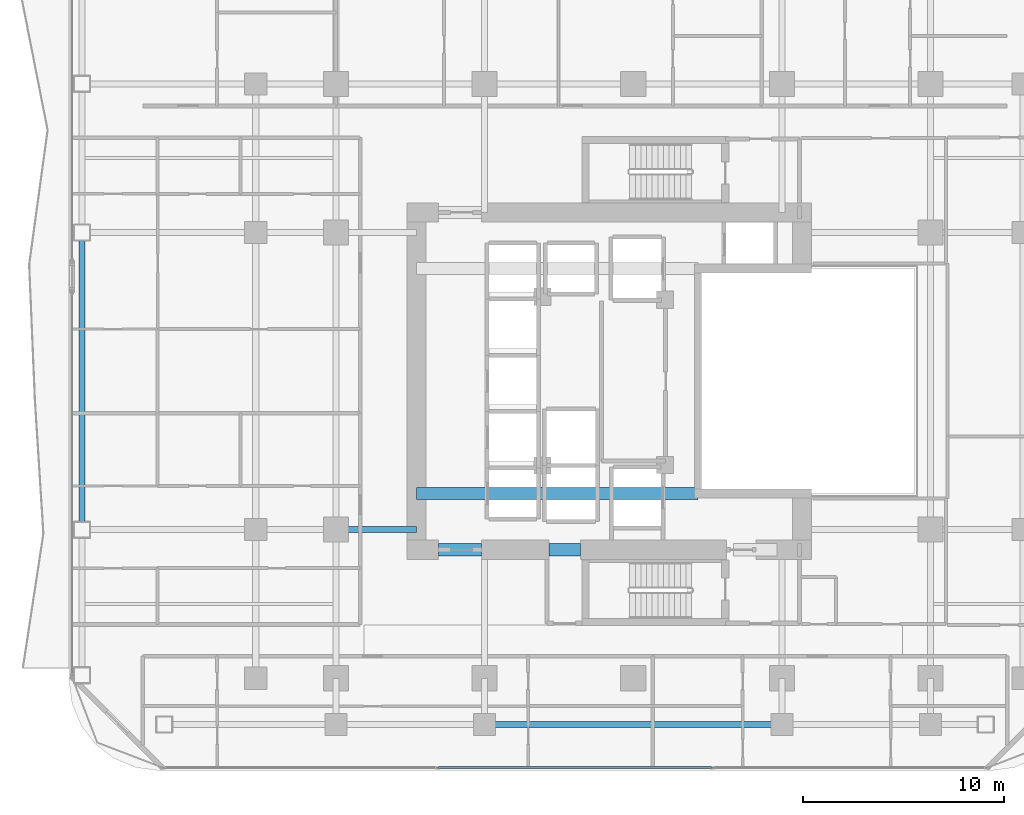
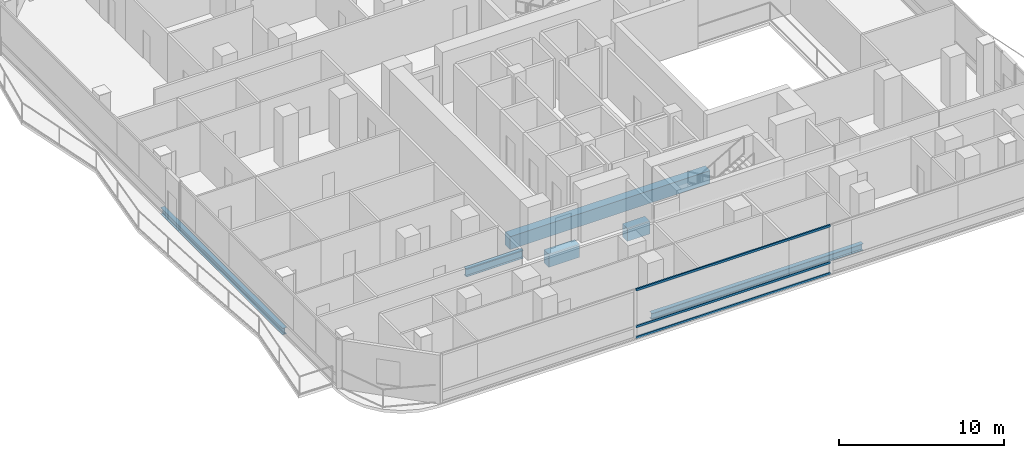
# One storey, part 5 of 28: 6 beams, 3 members, 1 element without a shape of its own.
"""IFC4 building model written with IfcOpenShell, lengths in metres."""

import ifcopenshell
import ifcopenshell.guid

model = None  # the IFC model being written
_history = None  # IfcOwnerHistory: only IFC2X3 demands one
_inside = {}  # id of a spatial element -> (the spatial element, [elements in it])
_under = {}  # id of a project, library or spatial element -> (it, [spatial elements below it])
_declared = {}  # id of a project -> (the project, [libraries it declares])
_typed = {}  # id of a type object -> (the type object, [elements of that type])
_made_of = {}  # id of a material, layer set ... -> (it, [elements and type objects made of it])


def new_model(schema):
    """Start an empty IFC model of exactly this schema.

    Asked for "IFC4X3", IfcOpenShell would pick the latest addendum, in which some entities
    have other attributes; the version numbers below select the first issue.
    IFC2X3 requires an IfcOwnerHistory on every rooted entity: one is made here for all.
    """
    global model, _history
    if schema == "IFC4X3":
        model = ifcopenshell.file(schema_version=(4, 3, 0, 0))
    else:
        model = ifcopenshell.file(schema=schema)
    _inside.clear()
    _under.clear()
    _declared.clear()
    _typed.clear()
    _made_of.clear()
    _history = None
    if model.schema == "IFC2X3":
        org = make("IfcOrganization", Name="unknown")
        user = make(
            "IfcPersonAndOrganization",
            ThePerson=make("IfcPerson", FamilyName="unknown"),
            TheOrganization=org,
        )
        app = make(
            "IfcApplication",
            ApplicationDeveloper=org,
            Version="unknown",
            ApplicationFullName="unknown",
            ApplicationIdentifier="unknown",
        )
        _history = make(
            "IfcOwnerHistory",
            OwningUser=user,
            OwningApplication=app,
            ChangeAction="ADDED",
            CreationDate=0,
        )
    return model


def make(cls, **values):
    """One entity of the class cls with the attributes given. An attribute that is None is left unset."""
    return model.create_entity(
        cls, **{name: value for name, value in values.items() if value is not None}
    )


def rooted(cls, **values):
    """An entity with a GlobalId (a new one), such as an element, a storey or a relation."""
    return make(cls, GlobalId=ifcopenshell.guid.new(), OwnerHistory=_history, **values)


def si_unit(unit_type, name, prefix=None):
    """IfcSIUnit, for example si_unit("LENGTHUNIT", "METRE", prefix="MILLI")."""
    return make("IfcSIUnit", UnitType=unit_type, Prefix=prefix, Name=name)


def assignment(units):
    """IfcUnitAssignment: the units of a project."""
    return None if units is None else make("IfcUnitAssignment", Units=units)


def point(xyz):
    """IfcCartesianPoint."""
    return None if xyz is None else make("IfcCartesianPoint", Coordinates=xyz)


def direction(xyz):
    """IfcDirection."""
    return None if xyz is None else make("IfcDirection", DirectionRatios=xyz)


def frame(location, z_axis=None, x_axis=None):
    """IfcAxis2Placement3D, a coordinate frame: its origin and axes. An axis left out is left unset."""
    return make(
        "IfcAxis2Placement3D",
        Location=point(location),
        Axis=direction(z_axis),
        RefDirection=direction(x_axis),
    )


def frame_2d(location, x_axis=None):
    """IfcAxis2Placement2D, a coordinate frame in the plane: its origin and x axis."""
    return make(
        "IfcAxis2Placement2D", Location=point(location), RefDirection=direction(x_axis)
    )


def origin():
    """The frame at (0, 0, 0) with its axes left unset."""
    return frame((0.0, 0.0, 0.0))


def origin_2d():
    """The frame at (0, 0) in the plane with its x axis left unset."""
    return frame_2d((0.0, 0.0))


def place(relative_to, where):
    """IfcLocalPlacement: puts the frame where relative to a parent placement (None: the world)."""
    return make(
        "IfcLocalPlacement", PlacementRelTo=relative_to, RelativePlacement=where
    )


def context(
    kind, dimensions, precision=None, world=None, true_north=None, identifier=None
):
    """IfcGeometricRepresentationContext, for example the 3D "Model" context."""
    return make(
        "IfcGeometricRepresentationContext",
        ContextIdentifier=identifier,
        ContextType=kind,
        CoordinateSpaceDimension=dimensions,
        Precision=precision,
        WorldCoordinateSystem=world,
        TrueNorth=true_north,
    )


def subcontext(parent, identifier, kind, view, scale=None):
    """IfcGeometricRepresentationSubContext, for example "Body" below "Model"."""
    return make(
        "IfcGeometricRepresentationSubContext",
        ContextIdentifier=identifier,
        ContextType=kind,
        ParentContext=parent,
        TargetScale=scale,
        TargetView=view,
    )


def project(units=None, contexts=None):
    """IfcProject with its units and contexts."""
    return rooted(
        "IfcProject",
        Name="project",
        RepresentationContexts=contexts,
        UnitsInContext=assignment(units),
    )


def spatial(cls, under=None, at=None, **own):
    """A site, building, storey or space (cls), placed at a placement, below another one or the project."""
    s = rooted(cls, ObjectPlacement=at, **own)
    if under is not None:
        _under.setdefault(under.id(), (under, []))[1].append(s)
    return s


def profile(cls, at=None, kind="AREA", **sizes):
    """A parametric profile (cls). Its sizes go by their IFC names, for example OverallWidth=200.0."""
    return make(cls, ProfileType=kind, Position=at, **sizes)


def rectangle(**sizes):
    """IfcRectangleProfileDef."""
    return profile("IfcRectangleProfileDef", **sizes)


def hollow_rectangle(**sizes):
    """IfcRectangleHollowProfileDef."""
    return profile("IfcRectangleHollowProfileDef", **sizes)


def i_section(**sizes):
    """IfcIShapeProfileDef."""
    return profile("IfcIShapeProfileDef", **sizes)


def extrude(swept, where, along, depth):
    """IfcExtrudedAreaSolid: the profile swept, set in the frame where, extruded along a direction by depth."""
    return make(
        "IfcExtrudedAreaSolid",
        SweptArea=swept,
        Position=where,
        ExtrudedDirection=direction(along),
        Depth=depth,
    )


def shape(context_of_items, identifier, shape_type, items):
    """IfcShapeRepresentation: the items that make up one representation, for example the "Body"."""
    return make(
        "IfcShapeRepresentation",
        ContextOfItems=context_of_items,
        RepresentationIdentifier=identifier,
        RepresentationType=shape_type,
        Items=items,
    )


def material(Name=None, Category=None):
    """IfcMaterial."""
    return make("IfcMaterial", Name=Name, Category=Category)


def layer(
    of_material, thickness, ventilated=None, Name=None, Category=None, Priority=None
):
    """IfcMaterialLayer: one layer of a wall or slab, of a material (None: an air gap)."""
    return make(
        "IfcMaterialLayer",
        Material=of_material,
        LayerThickness=thickness,
        IsVentilated=ventilated,
        Name=Name,
        Category=Category,
        Priority=Priority,
    )


def layer_set(layers, Name=None):
    """IfcMaterialLayerSet."""
    return make("IfcMaterialLayerSet", MaterialLayers=layers, LayerSetName=Name)


def material_profile(
    of_material, cross_section, Name=None, Category=None, Priority=None
):
    """IfcMaterialProfile: a cross section and its material."""
    return make(
        "IfcMaterialProfile",
        Name=Name,
        Material=of_material,
        Profile=cross_section,
        Priority=Priority,
        Category=Category,
    )


def profile_set(profiles, Name=None, composite=None):
    """IfcMaterialProfileSet."""
    return make(
        "IfcMaterialProfileSet",
        Name=Name,
        MaterialProfiles=profiles,
        CompositeProfile=composite,
    )


def made_of(thing, what):
    """Note that an element or type object is made of a material, layer set ...; save() writes the relation."""
    if what is not None:
        _made_of.setdefault(what.id(), (what, []))[1].append(thing)
    return thing


def type_object(cls, material=None, **own):
    """A type object (cls), such as IfcWallType, which elements share."""
    return made_of(rooted(cls, **own), material)


def element(
    cls,
    number,
    at=None,
    inside=None,
    cuts=None,
    type_object=None,
    material=None,
    context=None,
    identifier="Body",
    shape_type=None,
    held_by="IfcProductDefinitionShape",
    body=None,
    shapes=None,
    **own,
):
    """One element of the class cls, such as IfcWall. Its Tag is "e" and its number.

    at: its placement. inside: the storey or other place that contains it. cuts: it is an
    opening in that element (IfcRelVoidsElement). A single representation is given by context,
    identifier, shape_type and body (its items); several are given by shapes. held_by: the class
    of the entity that holds the representations. save() writes the other relations.
    """
    e = rooted(cls, Tag="e%d" % number, ObjectPlacement=at, **own)
    if body is not None:
        shapes = [shape(context, identifier, shape_type, body)]
    if shapes is not None:
        e.Representation = make(held_by, Representations=shapes)
    if inside is not None:
        _inside.setdefault(inside.id(), (inside, []))[1].append(e)
    if cuts is not None:
        rooted(
            "IfcRelVoidsElement", RelatingBuildingElement=cuts, RelatedOpeningElement=e
        )
    if type_object is not None:
        _typed.setdefault(type_object.id(), (type_object, []))[1].append(e)
    return made_of(e, material)


def aggregate(whole, parts):
    """IfcRelAggregates: a whole, such as a stair, and the parts it consists of."""
    return rooted("IfcRelAggregates", RelatingObject=whole, RelatedObjects=parts)


def save(model, path):
    """Write the relations noted so far, then the file.

    IfcRelAggregates (storeys below a building ...), IfcRelContainedInSpatialStructure (elements
    in a storey), IfcRelDefinesByType, IfcRelAssociatesMaterial and IfcRelDeclares: one each for
    every whole, place, type object, material and project.
    """
    for whole, parts in _under.values():
        aggregate(whole, parts)
    for where, things in _inside.values():
        rooted(
            "IfcRelContainedInSpatialStructure",
            RelatedElements=things,
            RelatingStructure=where,
        )
    for kind, things in _typed.values():
        rooted("IfcRelDefinesByType", RelatedObjects=things, RelatingType=kind)
    for what, things in _made_of.values():
        rooted("IfcRelAssociatesMaterial", RelatedObjects=things, RelatingMaterial=what)
    for by, libraries in _declared.values():
        rooted("IfcRelDeclares", RelatingContext=by, RelatedDefinitions=libraries)
    model.write(path)


model = new_model("IFC4")

# Units and contexts
model_context = context("Model", 3, precision=1e-05, world=origin(), true_north=direction((0.0, 1.0)))
body_context = subcontext(model_context, "Body", "Model", "MODEL_VIEW")
ifc_project = project(units=[si_unit("LENGTHUNIT", "METRE"), si_unit("AREAUNIT", "SQUARE_METRE"), si_unit("VOLUMEUNIT", "CUBIC_METRE"), si_unit("PLANEANGLEUNIT", "RADIAN"), si_unit("MASSUNIT", "GRAM", prefix="KILO")], contexts=[model_context])

# Site, building, storey
site_placement = place(None, origin())
site = spatial("IfcSite", under=ifc_project, at=site_placement, CompositionType="ELEMENT")
building_placement = place(site_placement, origin())
building = spatial("IfcBuilding", under=site, at=building_placement, Name="Khorvyn Point Tower", CompositionType="ELEMENT")
storey_placement = place(building_placement, frame((0.0, 0.0, 104.699951171875)))
storey = spatial("IfcBuildingStorey", under=building, at=storey_placement, Name="L26", CompositionType="ELEMENT", Elevation=104.699951171875)

# Curtain wall, members
ifc_material_1 = material(Name="Anodised aluminium 6063-T6 and laminated Low-E glass", Category="aluminium")
ifc_layer = layer(ifc_material_1, 0.18994140625)
ifc_layer_set = layer_set([ifc_layer], Name="Stick-Built Finned Residential Curtain Wall CW-SYS-02")
curtain_wall_type = type_object("IfcCurtainWallType", Name="Stick-Built Finned Residential Curtain Wall CW-SYS-02", PredefinedType="NOTDEFINED", material=ifc_layer_set)
curtain_wall_placement = place(storey_placement, origin())
curtain_wall = element("IfcCurtainWall", 1, at=curtain_wall_placement, inside=storey, type_object=curtain_wall_type, Name="Curtain Wall", PredefinedType="NOTDEFINED")
ifc_material_2 = material(Name="Anodised aluminium 6063-T6", Category="aluminium")
ifc_material_profile_1 = material_profile(ifc_material_2, hollow_rectangle(XDim=0.10009765625, YDim=0.159912109375, WallThickness=0.00439453125, at=origin_2d()))
ifc_profile_set_1 = profile_set([ifc_material_profile_1], Name="Anodised aluminium 6063-T6 ALU-TRN-100x160")
member_type = type_object("IfcMemberType", Name="Anodised Aluminium 6063-T6 Transom ALU-TRN-100x160", PredefinedType="USERDEFINED", material=ifc_profile_set_1)
member_1_placement = place(storey_placement, frame((3.89990234375, -19.25, 0.050048828125), z_axis=(-1.0, 0.0, 0.0), x_axis=(0.0, -1.0, 0.0)))
member_1 = element("IfcMember", 2, at=member_1_placement, type_object=member_type, Name="Transom", ObjectType="TRANSOM", PredefinedType="USERDEFINED", context=body_context, shape_type="SweptSolid", body=[
    extrude(hollow_rectangle(XDim=0.10009765625, YDim=0.159912109375, WallThickness=0.00439453125, at=origin_2d()), origin(), (0.0, 0.0, 1.0), 13.599853515625),
])
member_2_placement = place(storey_placement, frame((3.89990234375, -19.25, 0.85009765625), z_axis=(-1.0, 0.0, 0.0), x_axis=(0.0, -1.0, 0.0)))
member_2 = element("IfcMember", 3, at=member_2_placement, type_object=member_type, Name="Transom", ObjectType="TRANSOM", PredefinedType="USERDEFINED", context=body_context, shape_type="SweptSolid", body=[
    extrude(hollow_rectangle(XDim=0.10009765625, YDim=0.159912109375, WallThickness=0.00439453125, at=origin_2d()), origin(), (0.0, 0.0, 1.0), 13.599853515625),
])
member_3_placement = place(storey_placement, frame((3.89990234375, -19.25, 3.570068359375), z_axis=(-1.0, 0.0, 0.0), x_axis=(0.0, -1.0, 0.0)))
member_3 = element("IfcMember", 4, at=member_3_placement, type_object=member_type, Name="Transom", ObjectType="TRANSOM", PredefinedType="USERDEFINED", context=body_context, shape_type="SweptSolid", body=[
    extrude(hollow_rectangle(XDim=0.10009765625, YDim=0.159912109375, WallThickness=0.00439453125, at=origin_2d()), origin(), (0.0, 0.0, 1.0), 13.599853515625),
])
aggregate(curtain_wall, [member_1, member_2, member_3])

# Beams
ifc_material_3 = material(Name="Concrete C50/60", Category="concrete")
ifc_material_profile_2 = material_profile(ifc_material_3, rectangle(XDim=0.60009765625, YDim=0.949951171875, at=origin_2d()))
ifc_profile_set_2 = profile_set([ifc_material_profile_2], Name="Concrete C50/60 RC600x950")
beam_type_1 = type_object("IfcBeamType", Name="Concrete C50/60 Beam RC600x950", PredefinedType="BEAM", material=ifc_profile_set_2)
beam_1_placement = place(storey_placement, frame((-10.800048828125, -5.60009765625, -0.695068359375), z_axis=(1.0, 0.0, 0.0), x_axis=(0.0, 1.0, 0.0)))
element("IfcBeam", 5, at=beam_1_placement, inside=storey, type_object=beam_type_1, Name="L26 Core Internal Tie Girder S", PredefinedType="BEAM", context=body_context, shape_type="SweptSolid", body=[
    extrude(rectangle(XDim=0.60009765625, YDim=0.949951171875, at=origin_2d()), origin(), (0.0, 0.0, 1.0), 14.02001953125),
])
beam_2_placement = place(storey_placement, frame((-9.699951171875, -8.39990234375, -0.695068359375), z_axis=(1.0, 0.0, 0.0), x_axis=(0.0, 1.0, 0.0)))
element("IfcBeam", 6, at=beam_2_placement, inside=storey, type_object=beam_type_1, Name="L26 Core Southwest Portal Coupling Beam", PredefinedType="BEAM", context=body_context, shape_type="SweptSolid", body=[
    extrude(rectangle(XDim=0.60009765625, YDim=0.949951171875, at=origin_2d()), origin(), (0.0, 0.0, 1.0), 2.14990234375),
])
beam_3_placement = place(storey_placement, frame((-4.199951171875, -8.39990234375, -0.695068359375), z_axis=(1.0, 0.0, 0.0), x_axis=(0.0, 1.0, 0.0)))
element("IfcBeam", 7, at=beam_3_placement, inside=storey, type_object=beam_type_1, Name="L26 Core Shuttle Portal Coupling Beam", PredefinedType="BEAM", context=body_context, shape_type="SweptSolid", body=[
    extrude(rectangle(XDim=0.60009765625, YDim=0.949951171875, at=origin_2d()), origin(), (0.0, 0.0, 1.0), 1.579833984375),
])
ifc_material_4 = material(Name="Steel S355", Category="steel")
ifc_material_profile_3 = material_profile(ifc_material_4, i_section(OverallWidth=0.300048828125, OverallDepth=0.587890625, WebThickness=0.011962890625, FlangeThickness=0.02001953125, at=origin_2d()))
ifc_profile_set_3 = profile_set([ifc_material_profile_3], Name="Steel S355 H588x300x12x20")
beam_type_2 = type_object("IfcBeamType", Name="Steel S355 Beam H588x300x12x20", PredefinedType="BEAM", material=ifc_profile_set_3)
beam_4_placement = place(storey_placement, frame((-14.800048828125, -7.39990234375, -0.513916015625), z_axis=(1.0, 0.0, 0.0), x_axis=(0.0, 1.0, 0.0)))
element("IfcBeam", 8, at=beam_4_placement, inside=storey, type_object=beam_type_2, Name="Beam", PredefinedType="BEAM", context=body_context, shape_type="SweptSolid", body=[
    extrude(i_section(OverallWidth=0.300048828125, OverallDepth=0.587890625, WebThickness=0.011962890625, FlangeThickness=0.02001953125, at=origin_2d()), origin(), (0.0, 0.0, 1.0), 4.0),
])
ifc_material_profile_4 = material_profile(ifc_material_4, i_section(OverallWidth=0.300048828125, OverallDepth=0.488037109375, WebThickness=0.010986328125, FlangeThickness=0.01806640625, at=origin_2d()))
ifc_profile_set_4 = profile_set([ifc_material_profile_4], Name="Steel S355 H488x300x11x18")
beam_type_3 = type_object("IfcBeamType", Name="Steel S355 Spandrel H488x300x11x18", PredefinedType="SPANDREL", material=ifc_profile_set_4)
for number, where, z_axis, x_axis, name in (
    (9, (-7.39990234375, -17.10009765625, -0.4638671875), (1.0, 0.0, 0.0), (0.0, 1.0, 0.0), "Beam"),
    (10, (-27.449951171875, -7.39990234375, -0.4638671875), (0.0, 1.0, 0.0), (-1.0, 0.0, 0.0), "Beam"),
):
    element("IfcBeam", number, at=place(storey_placement, frame(where, z_axis=z_axis, x_axis=x_axis)), inside=storey, type_object=beam_type_3, Name=name, PredefinedType="SPANDREL", context=body_context, shape_type="SweptSolid", body=[
        extrude(i_section(OverallWidth=0.300048828125, OverallDepth=0.488037109375, WebThickness=0.010986328125, FlangeThickness=0.01806640625, at=origin_2d()), origin(), (0.0, 0.0, 1.0), 14.7998046875),
    ])

save(model, "model.ifc")
